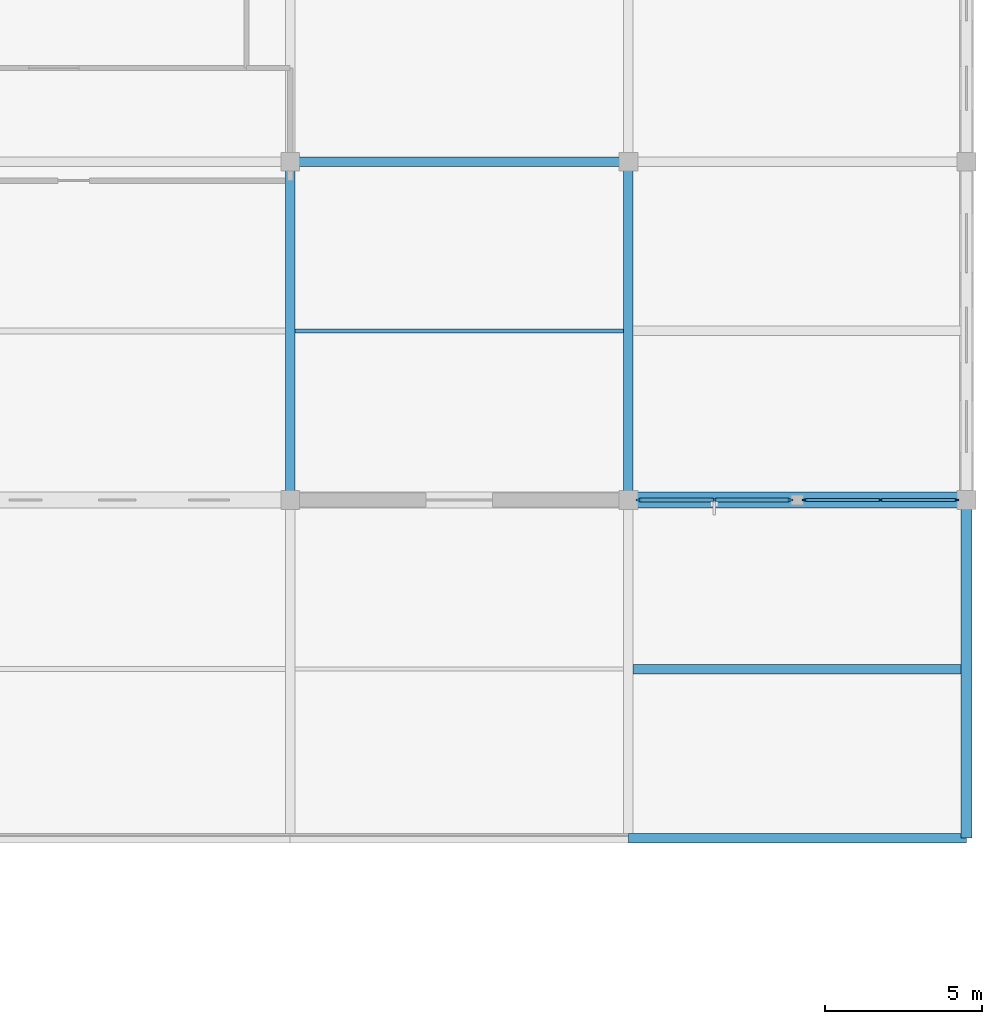
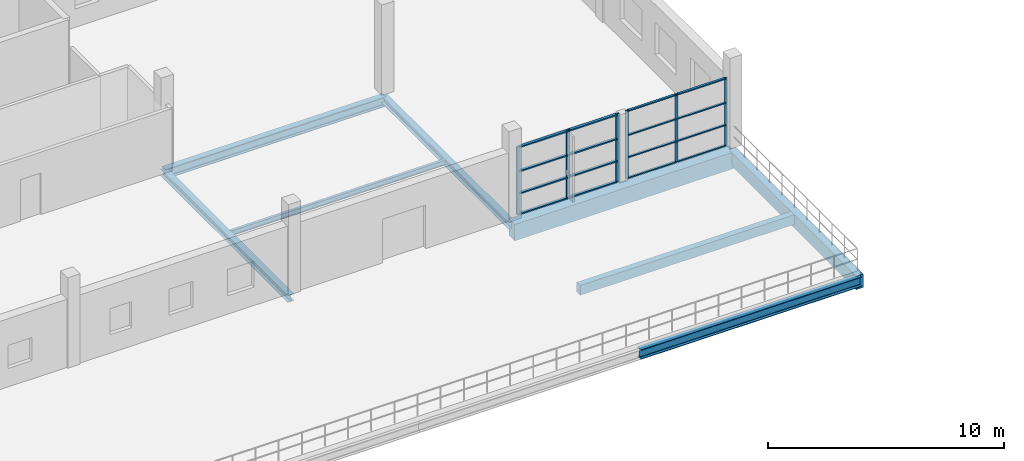
# One storey, part 78 of 142: 22 members, 8 beams, 2 elements without a shape of their own.
"""IFC4 building model written with IfcOpenShell, lengths in metres."""

from ifc_helpers import new_model, si_unit, direction, frame, origin, origin_2d, place, context, subcontext, project, spatial, rectangle, i_section, extrude, material, material_profile, profile_set, type_object, element, aggregate, save


model = new_model("IFC4")

# Units and contexts
model_context = context("Model", 3, precision=1e-05, world=origin(), true_north=direction((0.0, 1.0)))
body_context = subcontext(model_context, "Body", "Model", "MODEL_VIEW")
ifc_project = project(units=[si_unit("LENGTHUNIT", "METRE"), si_unit("AREAUNIT", "SQUARE_METRE"), si_unit("VOLUMEUNIT", "CUBIC_METRE"), si_unit("PLANEANGLEUNIT", "RADIAN"), si_unit("MASSUNIT", "GRAM", prefix="KILO")], contexts=[model_context])

# Site, building, storey
site_placement = place(None, origin())
site = spatial("IfcSite", under=ifc_project, at=site_placement, CompositionType="ELEMENT")
building_placement = place(site_placement, origin())
building = spatial("IfcBuilding", under=site, at=building_placement, Name="Zwinboog Wholesale Market", CompositionType="ELEMENT")
storey_placement = place(building_placement, frame((0.0, 0.0, 5.39990234375)))
storey = spatial("IfcBuildingStorey", under=building, at=storey_placement, Name="L01", CompositionType="ELEMENT", Elevation=5.39990234375)

# Beams
ifc_material_1 = material(Name="Precast concrete C45/55", Category="concrete")
ifc_material_profile_1 = material_profile(ifc_material_1, rectangle(XDim=0.5, YDim=0.85009765625, at=origin_2d()), Name="PC 500x850")
ifc_profile_set_1 = profile_set([ifc_material_profile_1], Name="Precast concrete C45/55")
beam_type_1 = type_object("IfcBeamType", Name="BT-03", PredefinedType="BEAM", material=ifc_profile_set_1)
beam_1_placement = place(storey_placement, frame((205.199951171875, 108.0, -0.68701171875), z_axis=(1.0, 0.0, 0.0), x_axis=(0.0, 1.0, 0.0)))
element("IfcBeam", 1, at=beam_1_placement, inside=storey, type_object=beam_type_1, Name="BG-03 (BMG-L01-2052-1080-0560)", PredefinedType="BEAM", context=body_context, shape_type="SweptSolid", body=[
    extrude(rectangle(XDim=0.5, YDim=0.85009765625, at=origin_2d()), origin(), (0.0, 0.0, 1.0), 10.800048828125),
])
ifc_material_profile_2 = material_profile(ifc_material_1, rectangle(XDim=0.35009765625, YDim=0.699951171875, at=origin_2d()), Name="PC 350x700")
ifc_profile_set_2 = profile_set([ifc_material_profile_2], Name="Precast concrete C45/55")
beam_type_2 = type_object("IfcBeamType", Name="BT-08", PredefinedType="SPANDREL", material=ifc_profile_set_2)
beam_2_placement = place(storey_placement, frame((216.0, 97.199951171875, -0.61181640625), z_axis=(0.0, 1.0, 0.0), x_axis=(-1.0, 0.0, 0.0)))
element("IfcBeam", 2, at=beam_2_placement, inside=storey, type_object=beam_type_2, Name="SP-01 (BM-TER-L01-0064)", PredefinedType="SPANDREL", context=body_context, shape_type="SweptSolid", body=[
    extrude(rectangle(XDim=0.35009765625, YDim=0.699951171875, at=origin_2d()), origin(), (0.0, 0.0, 1.0), 10.800048828125),
])
ifc_material_profile_3 = material_profile(ifc_material_1, rectangle(XDim=0.300048828125, YDim=0.5, at=origin_2d()), Name="PC 300x500")
ifc_profile_set_3 = profile_set([ifc_material_profile_3], Name="Precast concrete C45/55")
beam_type_3 = type_object("IfcBeamType", Name="BT-10", PredefinedType="JOIST", material=ifc_profile_set_3)
beam_3_placement = place(storey_placement, frame((205.35009765625, 102.60009765625, -0.511962890625), z_axis=(1.0, 0.0, 0.0), x_axis=(0.0, 1.0, 0.0)))
element("IfcBeam", 3, at=beam_3_placement, inside=storey, type_object=beam_type_3, Name="BJ-01 (BM-TER-L01-0072)", PredefinedType="JOIST", context=body_context, shape_type="SweptSolid", body=[
    extrude(rectangle(XDim=0.300048828125, YDim=0.5, at=origin_2d()), origin(), (0.0, 0.0, 1.0), 10.474853515625),
])
ifc_material_2 = material(Name="Steel S355", Category="steel")
ifc_material_profile_4 = material_profile(ifc_material_2, i_section(OverallWidth=0.300048828125, OverallDepth=0.5, WebThickness=0.014404296875, FlangeThickness=0.028076171875, FilletRadius=0.027099609375, at=origin_2d()), Name="HEB 500")
ifc_profile_set_4 = profile_set([ifc_material_profile_4], Name="Steel S355")
beam_type_4 = type_object("IfcBeamType", Name="BT-14", PredefinedType="BEAM", material=ifc_profile_set_4)
for number, where, z_axis, x_axis, name in (
    (4, (194.39990234375, 118.800048828125, -0.5048828125), (1.0, 0.0, 0.0), (0.0, 1.0, 0.0), "SB-01 (BMG-L01-1944-1188-0579)"),
    (5, (205.199951171875, 97.199951171875, -0.511962890625), (1.0, 0.0, 0.0), (0.0, 1.0, 0.0), "SB-01 (BM-TER-L01-0056)"),
):
    element("IfcBeam", number, at=place(storey_placement, frame(where, z_axis=z_axis, x_axis=x_axis)), inside=storey, type_object=beam_type_4, Name=name, PredefinedType="BEAM", context=body_context, shape_type="SweptSolid", body=[
        extrude(i_section(OverallWidth=0.300048828125, OverallDepth=0.5, WebThickness=0.014404296875, FlangeThickness=0.028076171875, FilletRadius=0.027099609375, at=origin_2d()), origin(), (0.0, 0.0, 1.0), 10.800048828125),
    ])
ifc_material_profile_5 = material_profile(ifc_material_2, i_section(OverallWidth=0.300048828125, OverallDepth=0.35009765625, WebThickness=0.010009765625, FlangeThickness=0.017578125, FilletRadius=0.027099609375, at=origin_2d()), Name="HEA 360")
ifc_profile_set_5 = profile_set([ifc_material_profile_5], Name="Steel S355")
beam_type_5 = type_object("IfcBeamType", Name="BT-17", PredefinedType="BEAM", material=ifc_profile_set_5)
for number, where, z_axis, x_axis, name in (
    (6, (194.39990234375, 108.0, -0.43701171875), (0.0, 1.0, 0.0), (-1.0, 0.0, 0.0), "SB-04 (BMG-L01-1944-1080-0765)"),
    (7, (205.199951171875, 108.0, -0.43701171875), (0.0, 1.0, 0.0), (-1.0, 0.0, 0.0), "SB-04 (BMG-L01-2052-1080-0770)"),
):
    element("IfcBeam", number, at=place(storey_placement, frame(where, z_axis=z_axis, x_axis=x_axis)), inside=storey, type_object=beam_type_5, Name=name, PredefinedType="BEAM", context=body_context, shape_type="SweptSolid", body=[
        extrude(i_section(OverallWidth=0.300048828125, OverallDepth=0.35009765625, WebThickness=0.010009765625, FlangeThickness=0.017578125, FilletRadius=0.027099609375, at=origin_2d()), origin(), (0.0, 0.0, 1.0), 10.800048828125),
    ])
ifc_material_profile_6 = material_profile(ifc_material_2, i_section(OverallWidth=0.135009765625, OverallDepth=0.27001953125, WebThickness=0.006591796875, FlangeThickness=0.01025390625, FilletRadius=0.014892578125, at=origin_2d()), Name="IPE 270")
ifc_profile_set_6 = profile_set([ifc_material_profile_6], Name="Steel S355")
beam_type_6 = type_object("IfcBeamType", Name="BT-21", PredefinedType="JOIST", material=ifc_profile_set_6)
beam_4_placement = place(storey_placement, frame((194.550048828125, 113.39990234375, -0.389892578125), z_axis=(1.0, 0.0, 0.0), x_axis=(0.0, 1.0, 0.0)))
element("IfcBeam", 8, at=beam_4_placement, inside=storey, type_object=beam_type_6, Name="SJ-04 (BMG-L01-1946-1134-0888)", PredefinedType="JOIST", context=body_context, shape_type="SweptSolid", body=[
    extrude(i_section(OverallWidth=0.135009765625, OverallDepth=0.27001953125, WebThickness=0.006591796875, FlangeThickness=0.01025390625, FilletRadius=0.014892578125, at=origin_2d()), origin(), (0.0, 0.0, 1.0), 10.5),
])

# Curtain wall, members
ifc_material_3 = material(Name="Aluminium thermally broken curtain wall", Category="aluminium")
curtain_wall_type_1 = type_object("IfcCurtainWallType", Name="CWT-HALL-24", PredefinedType="USERDEFINED", material=ifc_material_3)
curtain_wall_1_placement = place(storey_placement, origin())
curtain_wall_1 = element("IfcCurtainWall", 9, at=curtain_wall_1_placement, inside=storey, type_object=curtain_wall_type_1, Name="CW-03 (CW-L01-153)", ObjectType="UNITIZED_CURTAIN_WALL", PredefinedType="USERDEFINED")
ifc_material_4 = material(Name="Aluminium EN AW-6060", Category="aluminium")
ifc_material_profile_7 = material_profile(ifc_material_4, rectangle(XDim=0.06494140625, YDim=0.179931640625, at=origin_2d()), Name="AL 65x180")
ifc_profile_set_7 = profile_set([ifc_material_profile_7], Name="Aluminium EN AW-6060")
member_type_1 = type_object("IfcMemberType", Name="CWM-65x180", PredefinedType="MULLION", material=ifc_profile_set_7)
member_1_placement = place(storey_placement, frame((205.527587890625, 108.0, 0.0), z_axis=(0.0, 0.0, 1.0), x_axis=(0.0, 1.0, 0.0)))
member_1 = element("IfcMember", 10, at=member_1_placement, type_object=member_type_1, Name="CW-03 mullion 1", PredefinedType="MULLION", context=body_context, shape_type="SweptSolid", body=[
    extrude(rectangle(XDim=0.06494140625, YDim=0.179931640625, at=origin_2d()), origin(), (0.0, 0.0, 1.0), 3.530029296875),
])
member_2_placement = place(storey_placement, frame((207.947509765625, 108.0, 0.0), z_axis=(0.0, 0.0, 1.0), x_axis=(0.0, 1.0, 0.0)))
member_2 = element("IfcMember", 11, at=member_2_placement, type_object=member_type_1, Name="CW-03 mullion 2", PredefinedType="MULLION", context=body_context, shape_type="SweptSolid", body=[
    extrude(rectangle(XDim=0.06494140625, YDim=0.179931640625, at=origin_2d()), origin(), (0.0, 0.0, 1.0), 3.530029296875),
])
member_3_placement = place(storey_placement, frame((210.367431640625, 108.0, 0.0), z_axis=(0.0, 0.0, 1.0), x_axis=(0.0, 1.0, 0.0)))
member_3 = element("IfcMember", 12, at=member_3_placement, type_object=member_type_1, Name="CW-03 mullion 3", PredefinedType="MULLION", context=body_context, shape_type="SweptSolid", body=[
    extrude(rectangle(XDim=0.06494140625, YDim=0.179931640625, at=origin_2d()), origin(), (0.0, 0.0, 1.0), 3.530029296875),
])

curtain_wall_type_2 = type_object("IfcCurtainWallType", Name="CWT-GAL-16", PredefinedType="USERDEFINED", material=ifc_material_3)
curtain_wall_2_placement = place(storey_placement, origin())
curtain_wall_2 = element("IfcCurtainWall", 13, at=curtain_wall_2_placement, inside=storey, type_object=curtain_wall_type_2, Name="CW-04 (CW-L01-154)", ObjectType="UNITIZED_CURTAIN_WALL", PredefinedType="USERDEFINED")
ifc_material_profile_8 = material_profile(ifc_material_4, rectangle(XDim=0.06005859375, YDim=0.14990234375, at=origin_2d()), Name="AL 60x150")
ifc_profile_set_8 = profile_set([ifc_material_profile_8], Name="Aluminium EN AW-6060")
member_type_2 = type_object("IfcMemberType", Name="CWM-60x150", PredefinedType="MULLION", material=ifc_profile_set_8)
member_4_placement = place(storey_placement, frame((210.830078125, 108.0, 0.0), z_axis=(0.0, 0.0, 1.0), x_axis=(0.0, 1.0, 0.0)))
member_4 = element("IfcMember", 14, at=member_4_placement, type_object=member_type_2, Name="CW-04 mullion 1", PredefinedType="MULLION", context=body_context, shape_type="SweptSolid", body=[
    extrude(rectangle(XDim=0.06005859375, YDim=0.14990234375, at=origin_2d()), origin(), (0.0, 0.0, 1.0), 3.530029296875),
])
member_5_placement = place(storey_placement, frame((213.25244140625, 108.0, 0.0), z_axis=(0.0, 0.0, 1.0), x_axis=(0.0, 1.0, 0.0)))
member_5 = element("IfcMember", 15, at=member_5_placement, type_object=member_type_2, Name="CW-04 mullion 2", PredefinedType="MULLION", context=body_context, shape_type="SweptSolid", body=[
    extrude(rectangle(XDim=0.06005859375, YDim=0.14990234375, at=origin_2d()), origin(), (0.0, 0.0, 1.0), 3.530029296875),
])
member_6_placement = place(storey_placement, frame((215.675048828125, 108.0, 0.0), z_axis=(0.0, 0.0, 1.0), x_axis=(0.0, 1.0, 0.0)))
member_6 = element("IfcMember", 16, at=member_6_placement, type_object=member_type_2, Name="CW-04 mullion 3", PredefinedType="MULLION", context=body_context, shape_type="SweptSolid", body=[
    extrude(rectangle(XDim=0.06005859375, YDim=0.14990234375, at=origin_2d()), origin(), (0.0, 0.0, 1.0), 3.530029296875),
])

# Member
ifc_material_profile_9 = material_profile(ifc_material_4, rectangle(XDim=0.139892578125, YDim=0.06494140625, at=origin_2d()), Name="AL 65x140")
ifc_profile_set_9 = profile_set([ifc_material_profile_9], Name="Aluminium EN AW-6060")
member_type_3 = type_object("IfcMemberType", Name="CWT-65x140", PredefinedType="USERDEFINED", material=ifc_profile_set_9)
member_7_placement = place(storey_placement, frame((205.56005859375, 108.0, 0.03271484375), z_axis=(1.0, 0.0, 0.0), x_axis=(0.0, 1.0, 0.0)))
member_7 = element("IfcMember", 17, at=member_7_placement, type_object=member_type_3, Name="CW-03 transom 1.1", ObjectType="TRANSOM", PredefinedType="USERDEFINED", context=body_context, shape_type="SweptSolid", body=[
    extrude(rectangle(XDim=0.139892578125, YDim=0.06494140625, at=origin_2d()), origin(), (0.0, 0.0, 1.0), 2.35498046875),
])

member_8_placement = place(storey_placement, frame((205.56005859375, 108.0, 1.10009765625), z_axis=(1.0, 0.0, 0.0), x_axis=(0.0, 1.0, 0.0)))
member_8 = element("IfcMember", 18, at=member_8_placement, type_object=member_type_3, Name="CW-03 transom 1.2", ObjectType="TRANSOM", PredefinedType="USERDEFINED", context=body_context, shape_type="SweptSolid", body=[
    extrude(rectangle(XDim=0.139892578125, YDim=0.06494140625, at=origin_2d()), origin(), (0.0, 0.0, 1.0), 2.35498046875),
])

member_9_placement = place(storey_placement, frame((205.56005859375, 108.0, 2.25), z_axis=(1.0, 0.0, 0.0), x_axis=(0.0, 1.0, 0.0)))
member_9 = element("IfcMember", 19, at=member_9_placement, type_object=member_type_3, Name="CW-03 transom 1.3", ObjectType="TRANSOM", PredefinedType="USERDEFINED", context=body_context, shape_type="SweptSolid", body=[
    extrude(rectangle(XDim=0.139892578125, YDim=0.06494140625, at=origin_2d()), origin(), (0.0, 0.0, 1.0), 2.35498046875),
])

member_10_placement = place(storey_placement, frame((205.56005859375, 108.0, 3.49755859375), z_axis=(1.0, 0.0, 0.0), x_axis=(0.0, 1.0, 0.0)))
member_10 = element("IfcMember", 20, at=member_10_placement, type_object=member_type_3, Name="CW-03 transom 1.4", ObjectType="TRANSOM", PredefinedType="USERDEFINED", context=body_context, shape_type="SweptSolid", body=[
    extrude(rectangle(XDim=0.139892578125, YDim=0.06494140625, at=origin_2d()), origin(), (0.0, 0.0, 1.0), 2.35498046875),
])

member_11_placement = place(storey_placement, frame((207.97998046875, 108.0, 0.03271484375), z_axis=(1.0, 0.0, 0.0), x_axis=(0.0, 1.0, 0.0)))
member_11 = element("IfcMember", 21, at=member_11_placement, type_object=member_type_3, Name="CW-03 transom 2.1", ObjectType="TRANSOM", PredefinedType="USERDEFINED", context=body_context, shape_type="SweptSolid", body=[
    extrude(rectangle(XDim=0.139892578125, YDim=0.06494140625, at=origin_2d()), origin(), (0.0, 0.0, 1.0), 2.35498046875),
])

member_12_placement = place(storey_placement, frame((207.97998046875, 108.0, 1.10009765625), z_axis=(1.0, 0.0, 0.0), x_axis=(0.0, 1.0, 0.0)))
member_12 = element("IfcMember", 22, at=member_12_placement, type_object=member_type_3, Name="CW-03 transom 2.2", ObjectType="TRANSOM", PredefinedType="USERDEFINED", context=body_context, shape_type="SweptSolid", body=[
    extrude(rectangle(XDim=0.139892578125, YDim=0.06494140625, at=origin_2d()), origin(), (0.0, 0.0, 1.0), 2.35498046875),
])

member_13_placement = place(storey_placement, frame((207.97998046875, 108.0, 2.25), z_axis=(1.0, 0.0, 0.0), x_axis=(0.0, 1.0, 0.0)))
member_13 = element("IfcMember", 23, at=member_13_placement, type_object=member_type_3, Name="CW-03 transom 2.3", ObjectType="TRANSOM", PredefinedType="USERDEFINED", context=body_context, shape_type="SweptSolid", body=[
    extrude(rectangle(XDim=0.139892578125, YDim=0.06494140625, at=origin_2d()), origin(), (0.0, 0.0, 1.0), 2.35498046875),
])

member_14_placement = place(storey_placement, frame((207.97998046875, 108.0, 3.49755859375), z_axis=(1.0, 0.0, 0.0), x_axis=(0.0, 1.0, 0.0)))
member_14 = element("IfcMember", 24, at=member_14_placement, type_object=member_type_3, Name="CW-03 transom 2.4", ObjectType="TRANSOM", PredefinedType="USERDEFINED", context=body_context, shape_type="SweptSolid", body=[
    extrude(rectangle(XDim=0.139892578125, YDim=0.06494140625, at=origin_2d()), origin(), (0.0, 0.0, 1.0), 2.35498046875),
])

aggregate(curtain_wall_1, [member_1, member_2, member_3, member_7, member_8, member_9, member_10, member_11, member_12, member_13, member_14])

ifc_material_profile_10 = material_profile(ifc_material_4, rectangle(XDim=0.110107421875, YDim=0.06005859375, at=origin_2d()), Name="AL 60x110")
ifc_profile_set_10 = profile_set([ifc_material_profile_10], Name="Aluminium EN AW-6060")
member_type_4 = type_object("IfcMemberType", Name="CWT-60x110", PredefinedType="USERDEFINED", material=ifc_profile_set_10)
member_15_placement = place(storey_placement, frame((210.860107421875, 108.0, 0.030029296875), z_axis=(1.0, 0.0, 0.0), x_axis=(0.0, 1.0, 0.0)))
member_15 = element("IfcMember", 25, at=member_15_placement, type_object=member_type_4, Name="CW-04 transom 1.1", ObjectType="TRANSOM", PredefinedType="USERDEFINED", context=body_context, shape_type="SweptSolid", body=[
    extrude(rectangle(XDim=0.110107421875, YDim=0.06005859375, at=origin_2d()), origin(), (0.0, 0.0, 1.0), 2.3623046875),
])

member_16_placement = place(storey_placement, frame((210.860107421875, 108.0, 1.10009765625), z_axis=(1.0, 0.0, 0.0), x_axis=(0.0, 1.0, 0.0)))
member_16 = element("IfcMember", 26, at=member_16_placement, type_object=member_type_4, Name="CW-04 transom 1.2", ObjectType="TRANSOM", PredefinedType="USERDEFINED", context=body_context, shape_type="SweptSolid", body=[
    extrude(rectangle(XDim=0.110107421875, YDim=0.06005859375, at=origin_2d()), origin(), (0.0, 0.0, 1.0), 2.3623046875),
])

member_17_placement = place(storey_placement, frame((210.860107421875, 108.0, 2.25), z_axis=(1.0, 0.0, 0.0), x_axis=(0.0, 1.0, 0.0)))
member_17 = element("IfcMember", 27, at=member_17_placement, type_object=member_type_4, Name="CW-04 transom 1.3", ObjectType="TRANSOM", PredefinedType="USERDEFINED", context=body_context, shape_type="SweptSolid", body=[
    extrude(rectangle(XDim=0.110107421875, YDim=0.06005859375, at=origin_2d()), origin(), (0.0, 0.0, 1.0), 2.3623046875),
])

member_18_placement = place(storey_placement, frame((210.860107421875, 108.0, 3.5), z_axis=(1.0, 0.0, 0.0), x_axis=(0.0, 1.0, 0.0)))
member_18 = element("IfcMember", 28, at=member_18_placement, type_object=member_type_4, Name="CW-04 transom 1.4", ObjectType="TRANSOM", PredefinedType="USERDEFINED", context=body_context, shape_type="SweptSolid", body=[
    extrude(rectangle(XDim=0.110107421875, YDim=0.06005859375, at=origin_2d()), origin(), (0.0, 0.0, 1.0), 2.3623046875),
])

member_19_placement = place(storey_placement, frame((213.282470703125, 108.0, 0.030029296875), z_axis=(1.0, 0.0, 0.0), x_axis=(0.0, 1.0, 0.0)))
member_19 = element("IfcMember", 29, at=member_19_placement, type_object=member_type_4, Name="CW-04 transom 2.1", ObjectType="TRANSOM", PredefinedType="USERDEFINED", context=body_context, shape_type="SweptSolid", body=[
    extrude(rectangle(XDim=0.110107421875, YDim=0.06005859375, at=origin_2d()), origin(), (0.0, 0.0, 1.0), 2.362548828125),
])

member_20_placement = place(storey_placement, frame((213.282470703125, 108.0, 1.10009765625), z_axis=(1.0, 0.0, 0.0), x_axis=(0.0, 1.0, 0.0)))
member_20 = element("IfcMember", 30, at=member_20_placement, type_object=member_type_4, Name="CW-04 transom 2.2", ObjectType="TRANSOM", PredefinedType="USERDEFINED", context=body_context, shape_type="SweptSolid", body=[
    extrude(rectangle(XDim=0.110107421875, YDim=0.06005859375, at=origin_2d()), origin(), (0.0, 0.0, 1.0), 2.362548828125),
])

member_21_placement = place(storey_placement, frame((213.282470703125, 108.0, 2.25), z_axis=(1.0, 0.0, 0.0), x_axis=(0.0, 1.0, 0.0)))
member_21 = element("IfcMember", 31, at=member_21_placement, type_object=member_type_4, Name="CW-04 transom 2.3", ObjectType="TRANSOM", PredefinedType="USERDEFINED", context=body_context, shape_type="SweptSolid", body=[
    extrude(rectangle(XDim=0.110107421875, YDim=0.06005859375, at=origin_2d()), origin(), (0.0, 0.0, 1.0), 2.362548828125),
])

member_22_placement = place(storey_placement, frame((213.282470703125, 108.0, 3.5), z_axis=(1.0, 0.0, 0.0), x_axis=(0.0, 1.0, 0.0)))
member_22 = element("IfcMember", 32, at=member_22_placement, type_object=member_type_4, Name="CW-04 transom 2.4", ObjectType="TRANSOM", PredefinedType="USERDEFINED", context=body_context, shape_type="SweptSolid", body=[
    extrude(rectangle(XDim=0.110107421875, YDim=0.06005859375, at=origin_2d()), origin(), (0.0, 0.0, 1.0), 2.362548828125),
])

aggregate(curtain_wall_2, [member_4, member_5, member_6, member_15, member_16, member_17, member_18, member_19, member_20, member_21, member_22])

save(model, "model.ifc")
